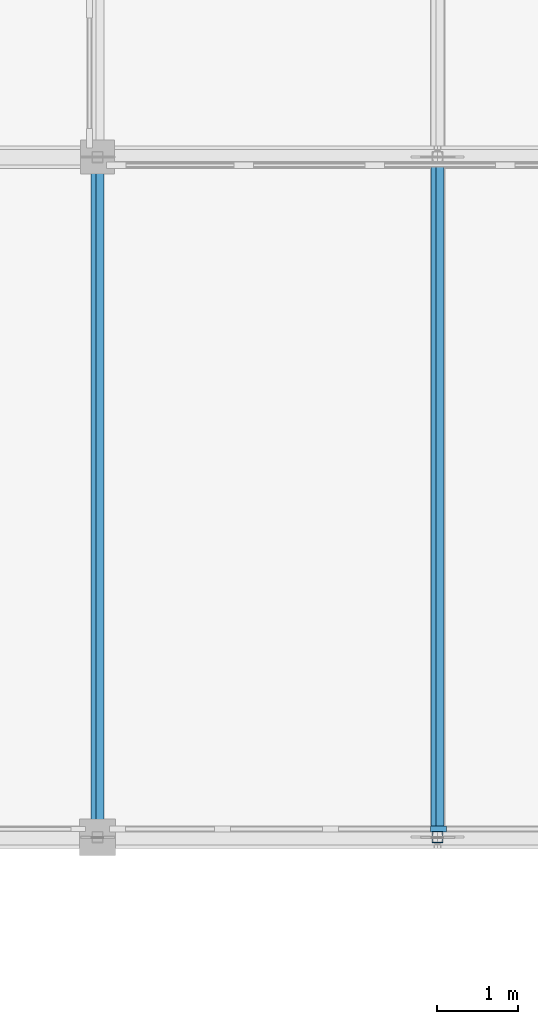
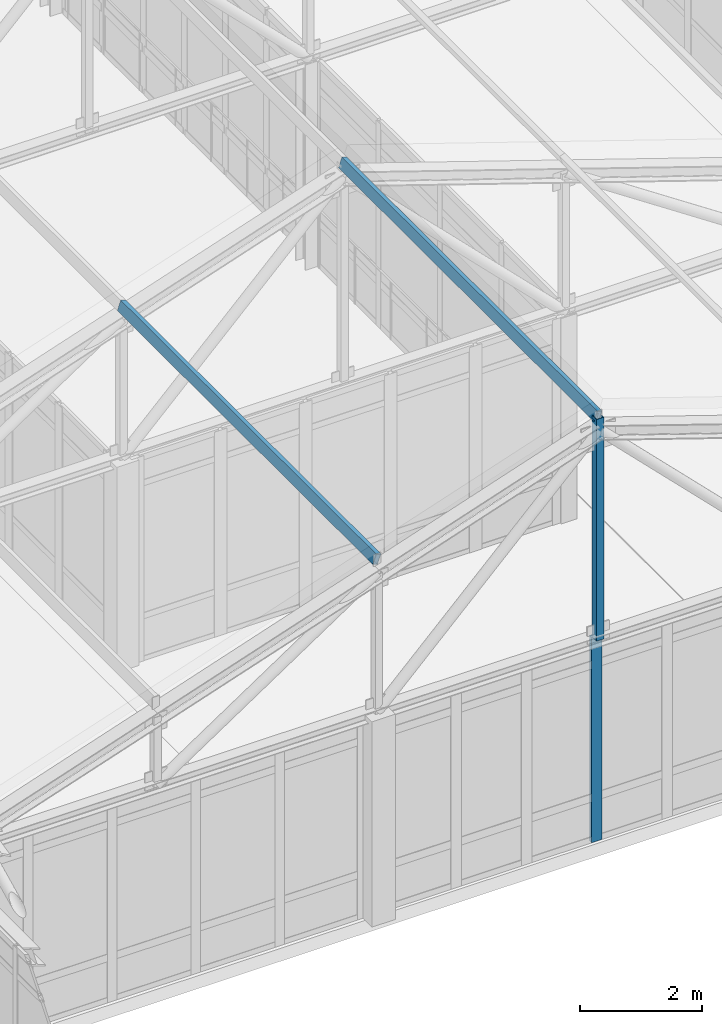
# One storey, part 35 of 192: 4 members, 1 element without a shape of its own.
"""IFC4 building model written with IfcOpenShell, lengths in metres."""

from ifc_helpers import new_model, si_unit, direction, frame, origin, origin_2d, place, context, subcontext, project, spatial, rectangle, hollow_rectangle, extrude, material, layer, layer_set, material_profile, profile_set, type_object, element, aggregate, save


model = new_model("IFC4")

# Units and contexts
model_context = context("Model", 3, precision=1e-05, world=origin(), true_north=direction((0.0, 1.0)))
body_context = subcontext(model_context, "Body", "Model", "MODEL_VIEW")
ifc_project = project(units=[si_unit("LENGTHUNIT", "METRE"), si_unit("AREAUNIT", "SQUARE_METRE"), si_unit("VOLUMEUNIT", "CUBIC_METRE"), si_unit("PLANEANGLEUNIT", "RADIAN"), si_unit("MASSUNIT", "GRAM", prefix="KILO")], contexts=[model_context])

# Site, building, storey
site_placement = place(None, origin())
site = spatial("IfcSite", under=ifc_project, at=site_placement, CompositionType="ELEMENT")
building_placement = place(site_placement, origin())
building = spatial("IfcBuilding", under=site, at=building_placement, Name="Kveldsbrygga Polytechnic", CompositionType="ELEMENT")
storey_placement = place(building_placement, frame((0.0, 0.0, 5.43994140625)))
storey = spatial("IfcBuildingStorey", under=building, at=storey_placement, Name="L01", CompositionType="ELEMENT", Elevation=5.43994140625)

# Curtain wall, member
ifc_material_1 = material(Name="Anodised aluminium AW-6060", Category="aluminium")
ifc_layer = layer(ifc_material_1, 0.159912109375)
ifc_layer_set = layer_set([ifc_layer], Name="Anodised aluminium AW-6060")
curtain_wall_type = type_object("IfcCurtainWallType", Name="CW-CLER-C", PredefinedType="USERDEFINED", material=ifc_layer_set)
curtain_wall_placement = place(storey_placement, origin())
curtain_wall = element("IfcCurtainWall", 1, at=curtain_wall_placement, inside=storey, type_object=curtain_wall_type, Name="Curtain Wall CW-L01-X-07-01", ObjectType="STICK CURTAIN WALL", PredefinedType="USERDEFINED")
ifc_material_profile_1 = material_profile(ifc_material_1, rectangle(XDim=0.074951171875, YDim=0.199951171875, at=origin_2d()), Name="ALU 75x200")
ifc_profile_set_1 = profile_set([ifc_material_profile_1], Name="Anodised aluminium AW-6060")
member_type_1 = type_object("IfcMemberType", Name="CW-MUL-200", PredefinedType="MULLION", material=ifc_profile_set_1)
member_1_placement = place(storey_placement, frame((63.012451171875, 8.5, 0.0), z_axis=(0.0, 0.0, 1.0), x_axis=(0.0, 1.0, 0.0)))
member_1 = element("IfcMember", 2, at=member_1_placement, type_object=member_type_1, Name="CW-03 mullion 4", PredefinedType="MULLION", context=body_context, shape_type="SweptSolid", body=[
    extrude(rectangle(XDim=0.074951171875, YDim=0.199951171875, at=origin_2d()), origin(), (0.0, 0.0, 1.0), 4.1201171875),
])
aggregate(curtain_wall, [member_1])

# Members
ifc_material_2 = material(Name="Steel S355", Category="steel")
ifc_material_profile_2 = material_profile(ifc_material_2, hollow_rectangle(XDim=0.10009765625, YDim=0.199951171875, WallThickness=0.010009765625, at=origin_2d()), Name="RHS 200x100x10.0")
ifc_profile_set_2 = profile_set([ifc_material_profile_2], Name="Steel S355")
member_type_2 = type_object("IfcMemberType", Name="PRL-RHS200", PredefinedType="PURLIN", material=ifc_profile_set_2)
for number, where, z_axis, x_axis, name in (
    (3, (58.800048828125, 8.39990234375, 7.173095703125), (0.0, 1.0, 0.0), (-0.948683567514, 0.0, 0.316226957624), "Roof Purlin V5C-PRL-1-2"),
    (4, (63.0, 8.39990234375, 8.572998046875), (0.0, 1.0, 0.0), (-0.948683567514, 0.0, 0.316226957624), "Roof Purlin V5C-PRL-1-3"),
):
    element("IfcMember", number, at=place(storey_placement, frame(where, z_axis=z_axis, x_axis=x_axis)), inside=storey, type_object=member_type_2, Name=name, PredefinedType="PURLIN", context=body_context, shape_type="SweptSolid", body=[
        extrude(hollow_rectangle(XDim=0.10009765625, YDim=0.199951171875, WallThickness=0.010009765625, at=origin_2d()), origin(), (0.0, 0.0, 1.0), 8.400146484375),
    ])
ifc_material_profile_3 = material_profile(ifc_material_2, hollow_rectangle(XDim=0.139892578125, YDim=0.139892578125, WallThickness=0.008056640625, at=origin_2d()), Name="SHS 140x140x8.0")
ifc_profile_set_3 = profile_set([ifc_material_profile_3], Name="Steel S355")
member_type_3 = type_object("IfcMemberType", Name="TR-POST-SHS140", PredefinedType="STRUT", material=ifc_profile_set_3)
member_2_placement = place(storey_placement, frame((63.0, 8.39990234375, 4.1201171875), z_axis=(0.0, 0.0, 1.0), x_axis=(1.0, 0.0, 0.0)))
element("IfcMember", 5, at=member_2_placement, inside=storey, type_object=member_type_3, Name="Truss Vertical V5C-T01-VT-3", PredefinedType="STRUT", context=body_context, shape_type="SweptSolid", body=[
    extrude(hollow_rectangle(XDim=0.139892578125, YDim=0.139892578125, WallThickness=0.008056640625, at=origin_2d()), origin(), (0.0, 0.0, 1.0), 4.452880859375),
])

save(model, "model.ifc")
